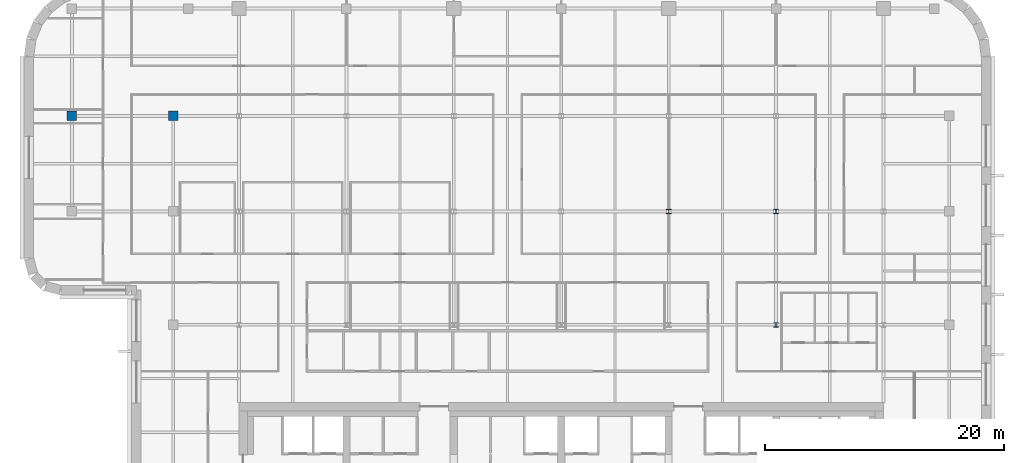
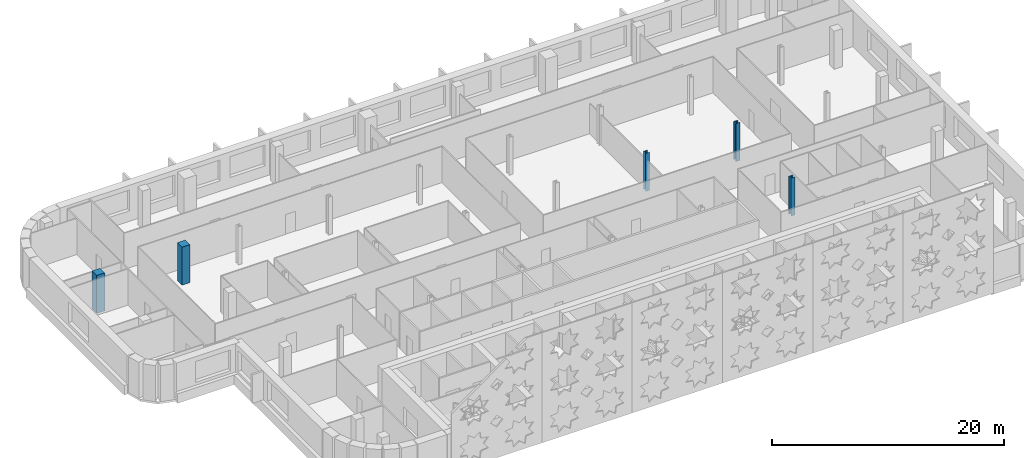
# One storey, part 2 of 18: 5 columns.
"""IFC4 building model written with IfcOpenShell, lengths in metres."""

from ifc_helpers import new_model, si_unit, direction, frame, origin, origin_2d, place, context, subcontext, project, spatial, rectangle, i_section, extrude, material, material_profile, profile_set, type_object, element, save


model = new_model("IFC4")

# Units and contexts
model_context = context("Model", 3, precision=1e-05, world=origin(), true_north=direction((0.0, 1.0)))
body_context = subcontext(model_context, "Body", "Model", "MODEL_VIEW")
ifc_project = project(units=[si_unit("LENGTHUNIT", "METRE"), si_unit("AREAUNIT", "SQUARE_METRE"), si_unit("VOLUMEUNIT", "CUBIC_METRE"), si_unit("PLANEANGLEUNIT", "RADIAN"), si_unit("MASSUNIT", "GRAM", prefix="KILO")], contexts=[model_context])

# Site, building, storey
site_placement = place(None, origin())
site = spatial("IfcSite", under=ifc_project, at=site_placement, CompositionType="ELEMENT")
building_placement = place(site_placement, origin())
building = spatial("IfcBuilding", under=site, at=building_placement, Name="Zellij Exchange Tower", CompositionType="ELEMENT")
storey_placement = place(building_placement, frame((0.0, 0.0, 228.5)))
storey = spatial("IfcBuildingStorey", under=building, at=storey_placement, Name="L53", CompositionType="ELEMENT", Elevation=228.5)

# Columns
ifc_material_1 = material(Name="Concrete C50/60", Category="concrete")
ifc_material_profile_1 = material_profile(ifc_material_1, rectangle(XDim=0.800048828125, YDim=0.800048828125, at=origin_2d()), Name="STR-COLUMN RC800x800 C50/60")
ifc_profile_set_1 = profile_set([ifc_material_profile_1], Name="Concrete C50/60")
column_type_1 = type_object("IfcColumnType", Name="STR-COLUMN RC800x800 C50/60", PredefinedType="COLUMN", material=ifc_profile_set_1)
for number, where, z_axis, x_axis, name in (
    (1, (-41.0, 22.0, 0.0), (0.0, 0.0, 1.0), (1.0, 0.0, 0.0), "C15"),
    (2, (-32.5, 22.0, 0.0), (0.0, 0.0, 1.0), (1.0, 0.0, 0.0), "C15"),
):
    element("IfcColumn", number, at=place(storey_placement, frame(where, z_axis=z_axis, x_axis=x_axis)), inside=storey, type_object=column_type_1, Name=name, PredefinedType="COLUMN", context=body_context, shape_type="SweptSolid", body=[
        extrude(rectangle(XDim=0.800048828125, YDim=0.800048828125, at=origin_2d()), origin(), (0.0, 0.0, 1.0), 4.0),
    ])
ifc_material_2 = material(Name="Structural steel ASTM A992 Gr 50", Category="steel")
ifc_material_profile_2 = material_profile(ifc_material_2, i_section(OverallWidth=0.398681640625, OverallDepth=0.385986328125, WebThickness=0.02099609375, FlangeThickness=0.033203125, at=origin_2d()), Name="W14x176")
ifc_profile_set_2 = profile_set([ifc_material_profile_2], Name="Structural steel ASTM A992 Gr 50")
column_type_2 = type_object("IfcColumnType", Name="STR-COLUMN W14x176", PredefinedType="COLUMN", material=ifc_profile_set_2)
for number, where, z_axis, x_axis, name in (
    (3, (18.0, 4.5, 0.0), (0.0, 0.0, 1.0), (1.0, 0.0, 0.0), "C2"),
    (4, (9.0, 14.0, 0.0), (0.0, 0.0, 1.0), (1.0, 0.0, 0.0), "C2"),
    (5, (18.0, 14.0, 0.0), (0.0, 0.0, 1.0), (1.0, 0.0, 0.0), "C2"),
):
    element("IfcColumn", number, at=place(storey_placement, frame(where, z_axis=z_axis, x_axis=x_axis)), inside=storey, type_object=column_type_2, Name=name, PredefinedType="COLUMN", context=body_context, shape_type="SweptSolid", body=[
        extrude(i_section(OverallWidth=0.398681640625, OverallDepth=0.385986328125, WebThickness=0.02099609375, FlangeThickness=0.033203125, at=origin_2d()), origin(), (0.0, 0.0, 1.0), 4.0),
    ])

save(model, "model.ifc")
